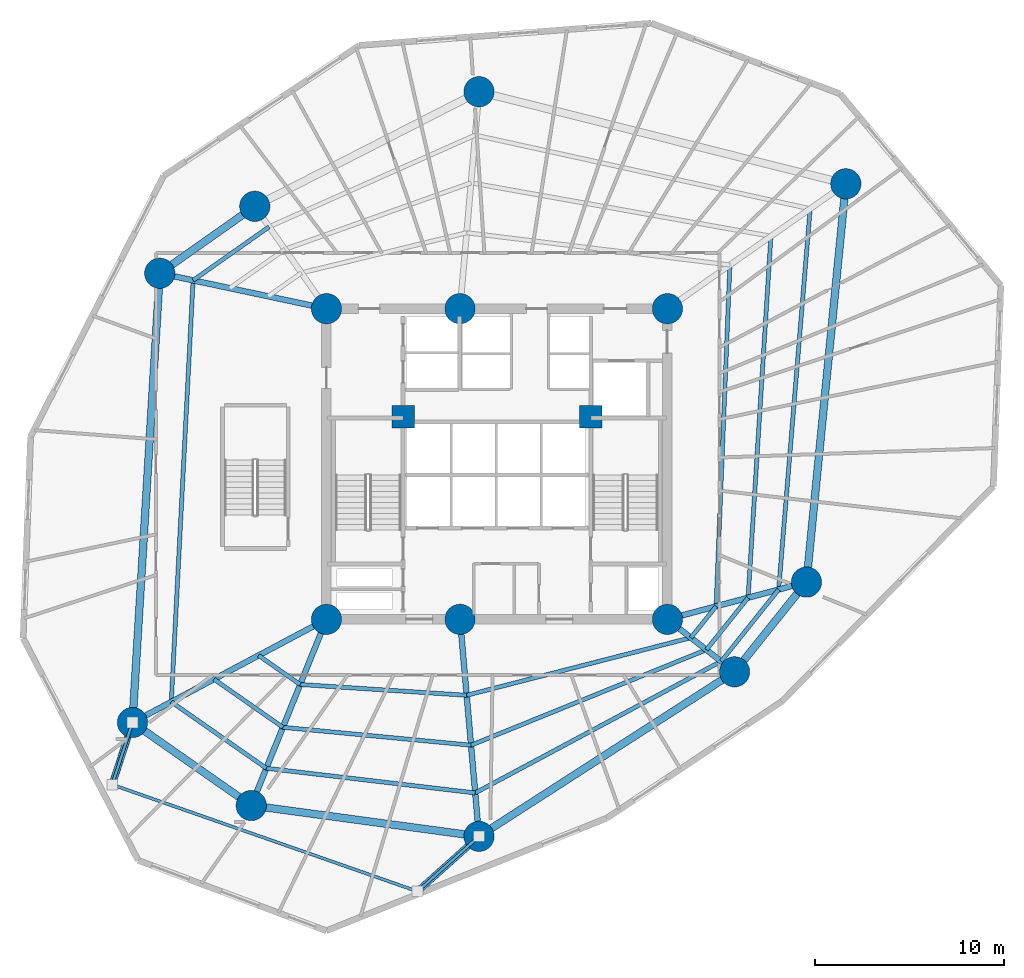
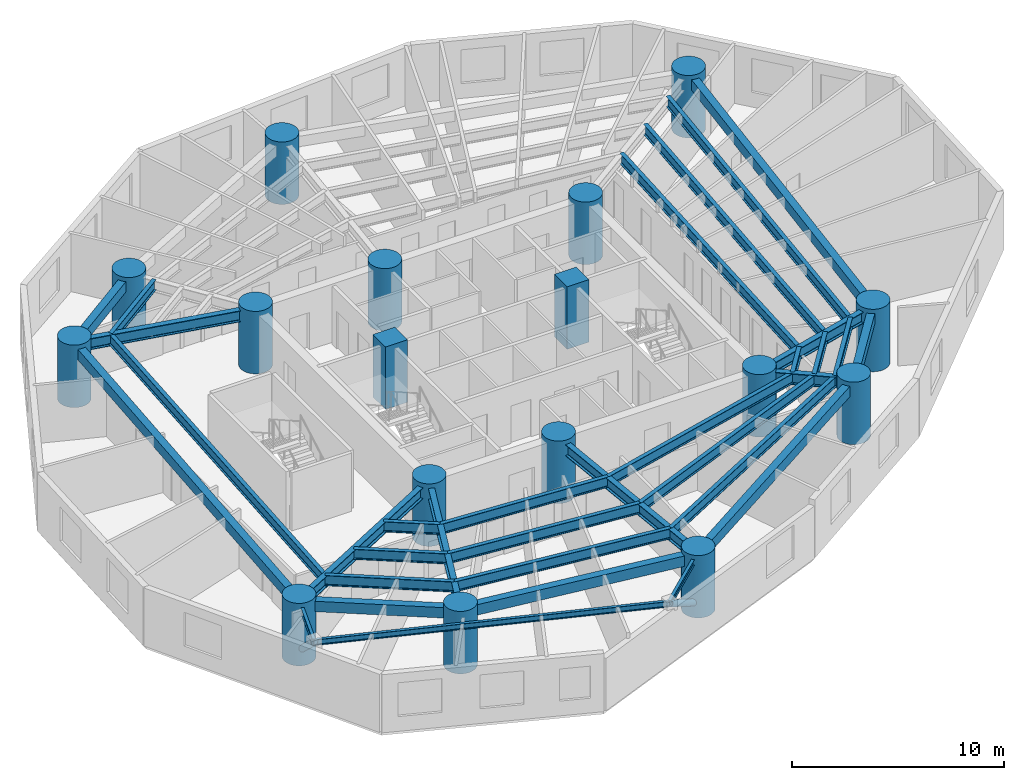
# One storey, part 1 of 8: 33 beams, 17 columns, 2 members.
"""IFC4 building model written with IfcOpenShell, lengths in metres."""

from ifc_helpers import new_model, si_unit, direction, frame, origin, origin_with_axes, origin_2d, place, context, subcontext, project, spatial, rectangle, circle, hollow_circle, i_section, extrude, source, transform, mapped, material, material_profile, profile_set, type_object, element, save


model = new_model("IFC4")

# Units and contexts
model_context = context("Model", 3, precision=1e-05, world=origin(), true_north=direction((0.0, 1.0)))
body_context = subcontext(model_context, "Body", "Model", "MODEL_VIEW")
ifc_project = project(units=[si_unit("LENGTHUNIT", "METRE"), si_unit("AREAUNIT", "SQUARE_METRE"), si_unit("VOLUMEUNIT", "CUBIC_METRE"), si_unit("PLANEANGLEUNIT", "RADIAN"), si_unit("MASSUNIT", "GRAM", prefix="KILO")], contexts=[model_context])

# Site, building, storey
site_placement = place(None, origin())
site = spatial("IfcSite", under=ifc_project, at=site_placement, CompositionType="ELEMENT")
building_placement = place(site_placement, origin())
building = spatial("IfcBuilding", under=site, at=building_placement, Name="Karkom Vertical University and Central Library", CompositionType="ELEMENT")
storey_placement = place(building_placement, frame((0.0, 0.0, 40.89990234375)))
storey = spatial("IfcBuildingStorey", under=building, at=storey_placement, Name="L10", CompositionType="ELEMENT", Elevation=40.89990234375)

# Columns
ifc_material_1 = material(Name="Concrete C50/60", Category="concrete")
ifc_material_profile_1 = material_profile(ifc_material_1, circle(Radius=0.800048828125, at=origin_2d()), Name="CFT-D1600")
ifc_profile_set_1 = profile_set([ifc_material_profile_1], Name="Concrete C50/60")
column_type_1 = type_object("IfcColumnType", Name="STR-COL-C-SC2", PredefinedType="COLUMN", material=ifc_profile_set_1)
shared_shape_1 = source(origin_with_axes(), body_context, "Body", "SweptSolid", [
    extrude(circle(Radius=0.800048828125, at=origin_2d()), origin(), (0.0, 0.0, 1.0), 3.60009765625),
])
for number, where, z_axis, x_axis, name in (
    (1, (19.5, 18.300048828125, 0.0), (0.0, 0.0, 1.0), (1.0, 0.0, 0.0), "Level 10 Spine Mega-Column SC-1"),
    (2, (26.550048828125, 18.300048828125, 0.0), (0.0, 0.0, 1.0), (1.0, 0.0, 0.0), "Level 10 Spine Mega-Column SC-2"),
    (3, (37.5, 18.300048828125, 0.0), (0.0, 0.0, 1.0), (1.0, 0.0, 0.0), "Level 10 Spine Mega-Column SC-3"),
    (4, (19.5, 34.699951171875, 0.0), (0.0, 0.0, 1.0), (1.0, 0.0, 0.0), "Level 10 Spine Mega-Column SC-4"),
    (5, (26.550048828125, 34.699951171875, 0.0), (0.0, 0.0, 1.0), (1.0, 0.0, 0.0), "Level 10 Spine Mega-Column SC-5"),
    (6, (37.5, 34.699951171875, 0.0), (0.0, 0.0, 1.0), (1.0, 0.0, 0.0), "Level 10 Spine Mega-Column SC-6"),
    (7, (44.841064453125, 20.26708984375, 0.0), (0.0, 0.0, 1.0), (1.0, 0.0, 0.0), "Level 10 Perimeter Mega-Column Z1-PC1"),
    (8, (46.919921875, 41.2958984375, 0.0), (0.0, 0.0, 1.0), (1.0, 0.0, 0.0), "Level 10 Perimeter Mega-Column Z1-PC2"),
    (9, (27.552001953125, 46.156005859375, 0.0), (0.0, 0.0, 1.0), (1.0, 0.0, 0.0), "Level 10 Perimeter Mega-Column Z1-PC3"),
    (10, (15.714111328125, 40.10595703125, 0.0), (0.0, 0.0, 1.0), (1.0, 0.0, 0.0), "Level 10 Perimeter Mega-Column Z1-PC4"),
    (11, (10.697021484375, 36.571044921875, 0.0), (0.0, 0.0, 1.0), (1.0, 0.0, 0.0), "Level 10 Perimeter Mega-Column Z1-PC5"),
    (12, (9.258056640625, 12.85400390625, 0.0), (0.0, 0.0, 1.0), (1.0, 0.0, 0.0), "Level 10 Perimeter Mega-Column Z1-PC6"),
    (13, (15.529052734375, 8.471923828125, 0.0), (0.0, 0.0, 1.0), (1.0, 0.0, 0.0), "Level 10 Perimeter Mega-Column Z1-PC7"),
    (14, (27.552001953125, 6.843994140625, 0.0), (0.0, 0.0, 1.0), (1.0, 0.0, 0.0), "Level 10 Perimeter Mega-Column Z1-PC8"),
    (15, (41.0458984375, 15.530029296875, 0.0), (0.0, 0.0, 1.0), (1.0, 0.0, 0.0), "Level 10 Perimeter Mega-Column Z1-PC9"),
):
    element("IfcColumn", number, at=place(storey_placement, frame(where, z_axis=z_axis, x_axis=x_axis)), inside=storey, type_object=column_type_1, Name=name, PredefinedType="COLUMN", context=body_context, shape_type="MappedRepresentation", body=[
        mapped(shared_shape_1, transform((0.0, 0.0, 0.0), scale=1.0)),
    ])
ifc_material_profile_2 = material_profile(ifc_material_1, rectangle(XDim=1.199951171875, YDim=1.199951171875, at=origin_2d()), Name="RC-1200x1200")
ifc_profile_set_2 = profile_set([ifc_material_profile_2], Name="Concrete C50/60")
column_type_2 = type_object("IfcColumnType", Name="STR-COL-C-CC1", PredefinedType="COLUMN", material=ifc_profile_set_2)
shared_shape_2 = source(origin_with_axes(), body_context, "Body", "SweptSolid", [
    extrude(rectangle(XDim=1.199951171875, YDim=1.199951171875, at=origin_2d()), origin(), (0.0, 0.0, 1.0), 3.60009765625),
])
for number, where, z_axis, x_axis, name in (
    (16, (23.550048828125, 29.0, 0.0), (0.0, 0.0, 1.0), (1.0, 0.0, 0.0), "Level 10 Core Node Column CC-1"),
    (17, (33.449951171875, 29.0, 0.0), (0.0, 0.0, 1.0), (1.0, 0.0, 0.0), "Level 10 Core Node Column CC-2"),
):
    element("IfcColumn", number, at=place(storey_placement, frame(where, z_axis=z_axis, x_axis=x_axis)), inside=storey, type_object=column_type_2, Name=name, PredefinedType="COLUMN", context=body_context, shape_type="MappedRepresentation", body=[
        mapped(shared_shape_2, transform((0.0, 0.0, 0.0), scale=1.0)),
    ])

# Beams
ifc_material_2 = material(Name="Steel S355", Category="steel")
ifc_material_profile_3 = material_profile(ifc_material_2, i_section(OverallWidth=0.300048828125, OverallDepth=0.64990234375, WebThickness=0.01611328125, FlangeThickness=0.031005859375, FilletRadius=0.027099609375, at=origin_2d()), Name="HE 650 B")
ifc_profile_set_3 = profile_set([ifc_material_profile_3], Name="Steel S355")
beam_type_1 = type_object("IfcBeamType", Name="STR-BM-SB-HE650", PredefinedType="USERDEFINED", material=ifc_profile_set_3)
shared_shape_3 = source(origin_with_axes(), body_context, "Body", "SweptSolid", [
    extrude(i_section(OverallWidth=0.300048828125, OverallDepth=0.64990234375, WebThickness=0.01611328125, FlangeThickness=0.031005859375, FilletRadius=0.027099609375, at=origin_2d()), origin(), (0.0, 0.0, 1.0), 7.60009765625),
])
beam_1_placement = place(storey_placement, frame((37.5, 18.300048828125, 3.025146484375), z_axis=(0.965925539322, 0.258820116077, 0.0), x_axis=(-0.258820116077, 0.965925539322, 0.0)))
element("IfcBeam", 18, at=beam_1_placement, inside=storey, type_object=beam_type_1, Name="Level 10 Radial Frame Girder 01", ObjectType="GIRDER", PredefinedType="USERDEFINED", context=body_context, shape_type="MappedRepresentation", body=[
    mapped(shared_shape_3, transform((0.0, 0.0, 0.0), scale=1.0)),
])
shared_shape_4 = source(origin_with_axes(), body_context, "Body", "SweptSolid", [
    extrude(i_section(OverallWidth=0.300048828125, OverallDepth=0.64990234375, WebThickness=0.01611328125, FlangeThickness=0.031005859375, FilletRadius=0.027099609375, at=origin_2d()), origin(), (0.0, 0.0, 1.0), 11.499755859375),
])
beam_2_placement = place(storey_placement, frame((26.550048828125, 18.300048828125, 3.025146484375), z_axis=(0.087127973109, -0.99619712723, 0.0), x_axis=(0.99619712723, 0.087127973109, 0.0)))
element("IfcBeam", 19, at=beam_2_placement, inside=storey, type_object=beam_type_1, Name="Level 10 Radial Frame Girder 08", ObjectType="GIRDER", PredefinedType="USERDEFINED", context=body_context, shape_type="MappedRepresentation", body=[
    mapped(shared_shape_4, transform((0.0, 0.0, 0.0), scale=1.0)),
])
shared_shape_5 = source(origin_with_axes(), body_context, "Body", "SweptSolid", [
    extrude(i_section(OverallWidth=0.300048828125, OverallDepth=0.64990234375, WebThickness=0.01611328125, FlangeThickness=0.031005859375, FilletRadius=0.027099609375, at=origin_2d()), origin(), (0.0, 0.0, 1.0), 8.999755859375),
])
beam_3_placement = place(storey_placement, frame((19.5, 34.699951171875, 3.025146484375), z_axis=(-0.978148438993, 0.207907747079, 0.0), x_axis=(-0.207907747079, -0.978148438993, 0.0)))
element("IfcBeam", 20, at=beam_3_placement, inside=storey, type_object=beam_type_1, Name="Level 10 Radial Frame Girder 05", ObjectType="GIRDER", PredefinedType="USERDEFINED", context=body_context, shape_type="MappedRepresentation", body=[
    mapped(shared_shape_5, transform((0.0, 0.0, 0.0), scale=1.0)),
])
shared_shape_6 = source(origin_with_axes(), body_context, "Body", "SweptSolid", [
    extrude(i_section(OverallWidth=0.300048828125, OverallDepth=0.64990234375, WebThickness=0.01611328125, FlangeThickness=0.031005859375, FilletRadius=0.027099609375, at=origin_2d()), origin(), (0.0, 0.0, 1.0), 11.599853515625),
])
beam_4_placement = place(storey_placement, frame((19.5, 18.300048828125, 3.025146484375), z_axis=(-0.882936620635, -0.469492197957, 0.0), x_axis=(0.469492197957, -0.882936620635, 0.0)))
element("IfcBeam", 21, at=beam_4_placement, inside=storey, type_object=beam_type_1, Name="Level 10 Radial Frame Girder 06", ObjectType="GIRDER", PredefinedType="USERDEFINED", context=body_context, shape_type="MappedRepresentation", body=[
    mapped(shared_shape_6, transform((0.0, 0.0, 0.0), scale=1.0)),
])
shared_shape_7 = source(origin_with_axes(), body_context, "Body", "SweptSolid", [
    extrude(i_section(OverallWidth=0.300048828125, OverallDepth=0.64990234375, WebThickness=0.01611328125, FlangeThickness=0.031005859375, FilletRadius=0.027099609375, at=origin_2d()), origin(), (0.0, 0.0, 1.0), 10.60009765625),
])
beam_5_placement = place(storey_placement, frame((19.5, 18.300048828125, 3.025146484375), z_axis=(-0.374616894394, -0.927179692635, 0.0), x_axis=(0.927179692635, -0.374616894394, 0.0)))
element("IfcBeam", 22, at=beam_5_placement, inside=storey, type_object=beam_type_1, Name="Level 10 Radial Frame Girder 07", ObjectType="GIRDER", PredefinedType="USERDEFINED", context=body_context, shape_type="MappedRepresentation", body=[
    mapped(shared_shape_7, transform((0.0, 0.0, 0.0), scale=1.0)),
])
shared_shape_8 = source(origin_with_axes(), body_context, "Body", "SweptSolid", [
    extrude(i_section(OverallWidth=0.300048828125, OverallDepth=0.64990234375, WebThickness=0.01611328125, FlangeThickness=0.031005859375, FilletRadius=0.027099609375, at=origin_2d()), origin(), (0.0, 0.0, 1.0), 4.49951171875),
])
beam_6_placement = place(storey_placement, frame((37.5, 18.300048828125, 3.025146484375), z_axis=(0.788047405801, -0.615614559778, 0.0), x_axis=(0.615614559778, 0.788047405801, 0.0)))
element("IfcBeam", 23, at=beam_6_placement, inside=storey, type_object=beam_type_1, Name="Level 10 Radial Frame Girder 09", ObjectType="GIRDER", PredefinedType="USERDEFINED", context=body_context, shape_type="MappedRepresentation", body=[
    mapped(shared_shape_8, transform((0.0, 0.0, 0.0), scale=1.0)),
])
ifc_material_3 = material(Name="Precast concrete C45/55", Category="concrete")
ifc_material_profile_4 = material_profile(ifc_material_3, rectangle(XDim=0.39990234375, YDim=0.60009765625, at=origin_2d()), Name="SPB-400x600")
ifc_profile_set_4 = profile_set([ifc_material_profile_4], Name="Precast concrete C45/55")
beam_type_2 = type_object("IfcBeamType", Name="STR-BM-SP-1", PredefinedType="SPANDREL", material=ifc_profile_set_4)
shared_shape_9 = source(origin_with_axes(), body_context, "Body", "SweptSolid", [
    extrude(rectangle(XDim=0.39990234375, YDim=0.60009765625, at=origin_2d()), origin(), (0.0, 0.0, 1.0), 21.13134765625),
])
beam_7_placement = place(storey_placement, frame((44.841064453125, 20.26708984375, 3.050048828125), z_axis=(0.0983780471, 0.995149114379, 0.0), x_axis=(-0.995149114379, 0.0983780471, 0.0)))
element("IfcBeam", 24, at=beam_7_placement, inside=storey, type_object=beam_type_2, Name="Level 10 Perimeter Spandrel Beam 01", PredefinedType="SPANDREL", context=body_context, shape_type="MappedRepresentation", body=[
    mapped(shared_shape_9, transform((0.0, 0.0, 0.0), scale=1.0)),
])
shared_shape_10 = source(origin_with_axes(), body_context, "Body", "SweptSolid", [
    extrude(rectangle(XDim=0.39990234375, YDim=0.60009765625, at=origin_2d()), origin(), (0.0, 0.0, 1.0), 6.13720703125),
])
beam_8_placement = place(storey_placement, frame((15.714111328125, 40.10595703125, 3.050048828125), z_axis=(-0.817471365538, -0.575969240955, 0.0), x_axis=(0.575969240955, -0.817471365538, 0.0)))
element("IfcBeam", 25, at=beam_8_placement, inside=storey, type_object=beam_type_2, Name="Level 10 Perimeter Spandrel Beam 04", PredefinedType="SPANDREL", context=body_context, shape_type="MappedRepresentation", body=[
    mapped(shared_shape_10, transform((0.0, 0.0, 0.0), scale=1.0)),
])
shared_shape_11 = source(origin_with_axes(), body_context, "Body", "SweptSolid", [
    extrude(rectangle(XDim=0.39990234375, YDim=0.60009765625, at=origin_2d()), origin(), (0.0, 0.0, 1.0), 23.7607421875),
])
beam_9_placement = place(storey_placement, frame((10.697021484375, 36.571044921875, 3.050048828125), z_axis=(-0.060560827767, -0.998164508556, 0.0), x_axis=(0.998164508556, -0.060560827767, 0.0)))
element("IfcBeam", 26, at=beam_9_placement, inside=storey, type_object=beam_type_2, Name="Level 10 Perimeter Spandrel Beam 05", PredefinedType="SPANDREL", context=body_context, shape_type="MappedRepresentation", body=[
    mapped(shared_shape_11, transform((0.0, 0.0, 0.0), scale=1.0)),
])
shared_shape_12 = source(origin_with_axes(), body_context, "Body", "SweptSolid", [
    extrude(rectangle(XDim=0.39990234375, YDim=0.60009765625, at=origin_2d()), origin(), (0.0, 0.0, 1.0), 7.650390625),
])
beam_10_placement = place(storey_placement, frame((9.258056640625, 12.85400390625, 3.050048828125), z_axis=(0.819699409527, -0.572793922822, 0.0), x_axis=(0.572793922822, 0.819699409527, 0.0)))
element("IfcBeam", 27, at=beam_10_placement, inside=storey, type_object=beam_type_2, Name="Level 10 Perimeter Spandrel Beam 06", PredefinedType="SPANDREL", context=body_context, shape_type="MappedRepresentation", body=[
    mapped(shared_shape_12, transform((0.0, 0.0, 0.0), scale=1.0)),
])
shared_shape_13 = source(origin_with_axes(), body_context, "Body", "SweptSolid", [
    extrude(rectangle(XDim=0.39990234375, YDim=0.60009765625, at=origin_2d()), origin(), (0.0, 0.0, 1.0), 12.132568359375),
])
beam_11_placement = place(storey_placement, frame((15.529052734375, 8.471923828125, 3.050048828125), z_axis=(0.990957319008, -0.134177464223, 0.0), x_axis=(0.134177464223, 0.990957319008, 0.0)))
element("IfcBeam", 28, at=beam_11_placement, inside=storey, type_object=beam_type_2, Name="Level 10 Perimeter Spandrel Beam 07", PredefinedType="SPANDREL", context=body_context, shape_type="MappedRepresentation", body=[
    mapped(shared_shape_13, transform((0.0, 0.0, 0.0), scale=1.0)),
])
shared_shape_14 = source(origin_with_axes(), body_context, "Body", "SweptSolid", [
    extrude(rectangle(XDim=0.39990234375, YDim=0.60009765625, at=origin_2d()), origin(), (0.0, 0.0, 1.0), 16.0478515625),
])
beam_12_placement = place(storey_placement, frame((27.552001953125, 6.843994140625, 3.050048828125), z_axis=(0.84085555045, 0.541259589548, 0.0), x_axis=(-0.541259589548, 0.84085555045, 0.0)))
element("IfcBeam", 29, at=beam_12_placement, inside=storey, type_object=beam_type_2, Name="Level 10 Perimeter Spandrel Beam 08", PredefinedType="SPANDREL", context=body_context, shape_type="MappedRepresentation", body=[
    mapped(shared_shape_14, transform((0.0, 0.0, 0.0), scale=1.0)),
])
shared_shape_15 = source(origin_with_axes(), body_context, "Body", "SweptSolid", [
    extrude(rectangle(XDim=0.39990234375, YDim=0.60009765625, at=origin_2d()), origin(), (0.0, 0.0, 1.0), 6.06982421875),
])
beam_13_placement = place(storey_placement, frame((41.0458984375, 15.530029296875, 3.050048828125), z_axis=(0.625249167344, 0.780425190992, 0.0), x_axis=(-0.780425190992, 0.625249167344, 0.0)))
element("IfcBeam", 30, at=beam_13_placement, inside=storey, type_object=beam_type_2, Name="Level 10 Perimeter Spandrel Beam 09", PredefinedType="SPANDREL", context=body_context, shape_type="MappedRepresentation", body=[
    mapped(shared_shape_15, transform((0.0, 0.0, 0.0), scale=1.0)),
])
ifc_material_profile_5 = material_profile(ifc_material_2, i_section(OverallWidth=0.219970703125, OverallDepth=0.60009765625, WebThickness=0.011962890625, FlangeThickness=0.01904296875, FilletRadius=0.02392578125, at=origin_2d()), Name="IPE 600")
ifc_profile_set_5 = profile_set([ifc_material_profile_5], Name="Steel S355")
beam_type_3 = type_object("IfcBeamType", Name="STR-BM-SB-IPE600", PredefinedType="BEAM", material=ifc_profile_set_5)
shared_shape_16 = source(origin_with_axes(), body_context, "Body", "SweptSolid", [
    extrude(i_section(OverallWidth=0.219970703125, OverallDepth=0.60009765625, WebThickness=0.011962890625, FlangeThickness=0.01904296875, FilletRadius=0.02392578125, at=origin_2d()), origin(), (0.0, 0.0, 1.0), 18.03466796875),
])
beam_14_placement = place(storey_placement, frame((40.0693359375, 18.988525390625, 3.050048828125), z_axis=(0.04035458262, 0.999185422062, 0.0), x_axis=(-0.999185422062, 0.04035458262, 0.0)))
element("IfcBeam", 31, at=beam_14_placement, inside=storey, type_object=beam_type_3, Name="Level 10 Secondary Composite Floor Beam 1.01", PredefinedType="BEAM", context=body_context, shape_type="MappedRepresentation", body=[
    mapped(shared_shape_16, transform((0.0, 0.0, 0.0), scale=1.0)),
])
shared_shape_17 = source(origin_with_axes(), body_context, "Body", "SweptSolid", [
    extrude(i_section(OverallWidth=0.219970703125, OverallDepth=0.60009765625, WebThickness=0.011962890625, FlangeThickness=0.01904296875, FilletRadius=0.02392578125, at=origin_2d()), origin(), (0.0, 0.0, 1.0), 2.677490234375),
])
beam_15_placement = place(storey_placement, frame((15.915283203125, 16.393798828125, 3.050048828125), z_axis=(0.819702839548, -0.572789014243, 0.0), x_axis=(0.572789014243, 0.819702839548, 0.0)))
element("IfcBeam", 32, at=beam_15_placement, inside=storey, type_object=beam_type_3, Name="Level 10 Secondary Composite Floor Beam 1.06", PredefinedType="BEAM", context=body_context, shape_type="MappedRepresentation", body=[
    mapped(shared_shape_17, transform((0.0, 0.0, 0.0), scale=1.0)),
])
shared_shape_18 = source(origin_with_axes(), body_context, "Body", "SweptSolid", [
    extrude(i_section(OverallWidth=0.219970703125, OverallDepth=0.60009765625, WebThickness=0.011962890625, FlangeThickness=0.01904296875, FilletRadius=0.02392578125, at=origin_2d()), origin(), (0.0, 0.0, 1.0), 8.80908203125),
])
beam_16_placement = place(storey_placement, frame((18.110107421875, 14.860107421875, 3.050048828125), z_axis=(0.997905617906, -0.064686766433, 0.0), x_axis=(0.064686766433, 0.997905617906, 0.0)))
element("IfcBeam", 33, at=beam_16_placement, inside=storey, type_object=beam_type_3, Name="Level 10 Secondary Composite Floor Beam 1.07", PredefinedType="BEAM", context=body_context, shape_type="MappedRepresentation", body=[
    mapped(shared_shape_18, transform((0.0, 0.0, 0.0), scale=1.0)),
])
shared_shape_19 = source(origin_with_axes(), body_context, "Body", "SweptSolid", [
    extrude(i_section(OverallWidth=0.219970703125, OverallDepth=0.60009765625, WebThickness=0.011962890625, FlangeThickness=0.01904296875, FilletRadius=0.02392578125, at=origin_2d()), origin(), (0.0, 0.0, 1.0), 12.224609375),
])
beam_17_placement = place(storey_placement, frame((26.900634765625, 14.290283203125, 3.050048828125), z_axis=(0.968580403264, 0.248700628092, 0.0), x_axis=(-0.248700628092, 0.968580403264, 0.0)))
element("IfcBeam", 34, at=beam_17_placement, inside=storey, type_object=beam_type_3, Name="Level 10 Secondary Composite Floor Beam 1.08", PredefinedType="BEAM", context=body_context, shape_type="MappedRepresentation", body=[
    mapped(shared_shape_19, transform((0.0, 0.0, 0.0), scale=1.0)),
])
shared_shape_20 = source(origin_with_axes(), body_context, "Body", "SweptSolid", [
    extrude(i_section(OverallWidth=0.219970703125, OverallDepth=0.60009765625, WebThickness=0.011962890625, FlangeThickness=0.01904296875, FilletRadius=0.02392578125, at=origin_2d()), origin(), (0.0, 0.0, 1.0), 2.124267578125),
])
beam_18_placement = place(storey_placement, frame((38.7412109375, 17.33056640625, 3.050048828125), z_axis=(0.625199471959, 0.780465002587, 0.0), x_axis=(-0.780465002587, 0.625199471959, 0.0)))
element("IfcBeam", 35, at=beam_18_placement, inside=storey, type_object=beam_type_3, Name="Level 10 Secondary Composite Floor Beam 1.09", PredefinedType="BEAM", context=body_context, shape_type="MappedRepresentation", body=[
    mapped(shared_shape_20, transform((0.0, 0.0, 0.0), scale=1.0)),
])
shared_shape_21 = source(origin_with_axes(), body_context, "Body", "SweptSolid", [
    extrude(i_section(OverallWidth=0.219970703125, OverallDepth=0.60009765625, WebThickness=0.011962890625, FlangeThickness=0.01904296875, FilletRadius=0.02392578125, at=origin_2d()), origin(), (0.0, 0.0, 1.0), 19.122802734375),
])
beam_19_placement = place(storey_placement, frame((41.7578125, 19.44091796875, 3.050048828125), z_axis=(0.063056264597, 0.998009973645, 0.0), x_axis=(-0.998009973645, 0.063056264597, 0.0)))
element("IfcBeam", 36, at=beam_19_placement, inside=storey, type_object=beam_type_3, Name="Level 10 Secondary Composite Floor Beam 2.01", PredefinedType="BEAM", context=body_context, shape_type="MappedRepresentation", body=[
    mapped(shared_shape_21, transform((0.0, 0.0, 0.0), scale=1.0)),
])
shared_shape_22 = source(origin_with_axes(), body_context, "Body", "SweptSolid", [
    extrude(i_section(OverallWidth=0.219970703125, OverallDepth=0.60009765625, WebThickness=0.011962890625, FlangeThickness=0.01904296875, FilletRadius=0.02392578125, at=origin_2d()), origin(), (0.0, 0.0, 1.0), 4.437255859375),
])
beam_20_placement = place(storey_placement, frame((13.5595703125, 15.141357421875, 3.050048828125), z_axis=(0.819712425733, -0.572775295468, 0.0), x_axis=(0.572775295468, 0.819712425733, 0.0)))
element("IfcBeam", 37, at=beam_20_placement, inside=storey, type_object=beam_type_3, Name="Level 10 Secondary Composite Floor Beam 2.06", PredefinedType="BEAM", context=body_context, shape_type="MappedRepresentation", body=[
    mapped(shared_shape_22, transform((0.0, 0.0, 0.0), scale=1.0)),
])
shared_shape_23 = source(origin_with_axes(), body_context, "Body", "SweptSolid", [
    extrude(i_section(OverallWidth=0.219970703125, OverallDepth=0.60009765625, WebThickness=0.011962890625, FlangeThickness=0.01904296875, FilletRadius=0.02392578125, at=origin_2d()), origin(), (0.0, 0.0, 1.0), 9.97900390625),
])
beam_21_placement = place(storey_placement, frame((17.19677734375, 12.599853515625, 3.050048828125), z_axis=(0.995512389915, -0.094631292526, 0.0), x_axis=(0.094631292526, 0.995512389915, 0.0)))
element("IfcBeam", 38, at=beam_21_placement, inside=storey, type_object=beam_type_3, Name="Level 10 Secondary Composite Floor Beam 2.07", PredefinedType="BEAM", context=body_context, shape_type="MappedRepresentation", body=[
    mapped(shared_shape_23, transform((0.0, 0.0, 0.0), scale=1.0)),
])
shared_shape_24 = source(origin_with_axes(), body_context, "Body", "SweptSolid", [
    extrude(i_section(OverallWidth=0.219970703125, OverallDepth=0.60009765625, WebThickness=0.011962890625, FlangeThickness=0.01904296875, FilletRadius=0.02392578125, at=origin_2d()), origin(), (0.0, 0.0, 1.0), 13.407958984375),
])
beam_22_placement = place(storey_placement, frame((27.131103515625, 11.655517578125, 3.050048828125), z_axis=(0.926727273371, 0.375734694685, 0.0), x_axis=(-0.375734694685, 0.926727273371, 0.0)))
element("IfcBeam", 39, at=beam_22_placement, inside=storey, type_object=beam_type_3, Name="Level 10 Secondary Composite Floor Beam 2.08", PredefinedType="BEAM", context=body_context, shape_type="MappedRepresentation", body=[
    mapped(shared_shape_24, transform((0.0, 0.0, 0.0), scale=1.0)),
])
shared_shape_25 = source(origin_with_axes(), body_context, "Body", "SweptSolid", [
    extrude(i_section(OverallWidth=0.219970703125, OverallDepth=0.60009765625, WebThickness=0.011962890625, FlangeThickness=0.01904296875, FilletRadius=0.02392578125, at=origin_2d()), origin(), (0.0, 0.0, 1.0), 3.5205078125),
])
beam_23_placement = place(storey_placement, frame((39.556640625, 16.693359375, 3.050048828125), z_axis=(0.62523614548, 0.780435623473, 0.0), x_axis=(-0.780435623473, 0.62523614548, 0.0)))
element("IfcBeam", 40, at=beam_23_placement, inside=storey, type_object=beam_type_3, Name="Level 10 Secondary Composite Floor Beam 2.09", PredefinedType="BEAM", context=body_context, shape_type="MappedRepresentation", body=[
    mapped(shared_shape_25, transform((0.0, 0.0, 0.0), scale=1.0)),
])
shared_shape_26 = source(origin_with_axes(), body_context, "Body", "SweptSolid", [
    extrude(i_section(OverallWidth=0.219970703125, OverallDepth=0.60009765625, WebThickness=0.011962890625, FlangeThickness=0.01904296875, FilletRadius=0.02392578125, at=origin_2d()), origin(), (0.0, 0.0, 1.0), 20.171875),
])
beam_24_placement = place(storey_placement, frame((43.372802734375, 19.87353515625, 3.050048828125), z_axis=(0.082445490935, 0.996595575459, 0.0), x_axis=(-0.996595575459, 0.082445490935, 0.0)))
element("IfcBeam", 41, at=beam_24_placement, inside=storey, type_object=beam_type_3, Name="Level 10 Secondary Composite Floor Beam 3.01", PredefinedType="BEAM", context=body_context, shape_type="MappedRepresentation", body=[
    mapped(shared_shape_26, transform((0.0, 0.0, 0.0), scale=1.0)),
])
shared_shape_27 = source(origin_with_axes(), body_context, "Body", "SweptSolid", [
    extrude(i_section(OverallWidth=0.219970703125, OverallDepth=0.60009765625, WebThickness=0.011962890625, FlangeThickness=0.01904296875, FilletRadius=0.02392578125, at=origin_2d()), origin(), (0.0, 0.0, 1.0), 4.909912109375),
])
beam_25_placement = place(storey_placement, frame((16.47119140625, 39.02490234375, 3.050048828125), z_axis=(-0.817452635759, -0.575995823153, 0.0), x_axis=(0.575995823153, -0.817452635759, 0.0)))
element("IfcBeam", 42, at=beam_25_placement, inside=storey, type_object=beam_type_3, Name="Level 10 Secondary Composite Floor Beam 3.04", PredefinedType="BEAM", context=body_context, shape_type="MappedRepresentation", body=[
    mapped(shared_shape_27, transform((0.0, 0.0, 0.0), scale=1.0)),
])
shared_shape_28 = source(origin_with_axes(), body_context, "Body", "SweptSolid", [
    extrude(i_section(OverallWidth=0.219970703125, OverallDepth=0.60009765625, WebThickness=0.011962890625, FlangeThickness=0.01904296875, FilletRadius=0.02392578125, at=origin_2d()), origin(), (0.0, 0.0, 1.0), 22.283447265625),
])
beam_26_placement = place(storey_placement, frame((12.45751953125, 36.19677734375, 3.050048828125), z_axis=(-0.051658288147, -0.998664819279, 0.0), x_axis=(0.998664819279, -0.051658288147, 0.0)))
element("IfcBeam", 43, at=beam_26_placement, inside=storey, type_object=beam_type_3, Name="Level 10 Secondary Composite Floor Beam 3.05", PredefinedType="BEAM", context=body_context, shape_type="MappedRepresentation", body=[
    mapped(shared_shape_28, transform((0.0, 0.0, 0.0), scale=1.0)),
])
shared_shape_29 = source(origin_with_axes(), body_context, "Body", "SweptSolid", [
    extrude(i_section(OverallWidth=0.219970703125, OverallDepth=0.60009765625, WebThickness=0.011962890625, FlangeThickness=0.01904296875, FilletRadius=0.02392578125, at=origin_2d()), origin(), (0.0, 0.0, 1.0), 6.120361328125),
])
beam_27_placement = place(storey_placement, frame((11.306396484375, 13.943115234375, 3.050048828125), z_axis=(0.81970577287, -0.572784816422, 0.0), x_axis=(0.572784816422, 0.81970577287, 0.0)))
element("IfcBeam", 44, at=beam_27_placement, inside=storey, type_object=beam_type_3, Name="Level 10 Secondary Composite Floor Beam 3.06", PredefinedType="BEAM", context=body_context, shape_type="MappedRepresentation", body=[
    mapped(shared_shape_29, transform((0.0, 0.0, 0.0), scale=1.0)),
])
shared_shape_30 = source(origin_with_axes(), body_context, "Body", "SweptSolid", [
    extrude(i_section(OverallWidth=0.219970703125, OverallDepth=0.60009765625, WebThickness=0.011962890625, FlangeThickness=0.01904296875, FilletRadius=0.02392578125, at=origin_2d()), origin(), (0.0, 0.0, 1.0), 11.10498046875),
])
beam_28_placement = place(storey_placement, frame((16.3232421875, 10.4375, 3.050048828125), z_axis=(0.993100390447, -0.117267278018, 0.0), x_axis=(0.117267278018, 0.993100390447, 0.0)))
element("IfcBeam", 45, at=beam_28_placement, inside=storey, type_object=beam_type_3, Name="Level 10 Secondary Composite Floor Beam 3.07", PredefinedType="BEAM", context=body_context, shape_type="MappedRepresentation", body=[
    mapped(shared_shape_30, transform((0.0, 0.0, 0.0), scale=1.0)),
])
shared_shape_31 = source(origin_with_axes(), body_context, "Body", "SweptSolid", [
    extrude(i_section(OverallWidth=0.219970703125, OverallDepth=0.60009765625, WebThickness=0.011962890625, FlangeThickness=0.01904296875, FilletRadius=0.02392578125, at=origin_2d()), origin(), (0.0, 0.0, 1.0), 14.727783203125),
])
beam_29_placement = place(storey_placement, frame((27.3515625, 9.13525390625, 3.050048828125), z_axis=(0.881697726656, 0.471814708131, 0.0), x_axis=(-0.471814708131, 0.881697726656, 0.0)))
element("IfcBeam", 46, at=beam_29_placement, inside=storey, type_object=beam_type_3, Name="Level 10 Secondary Composite Floor Beam 3.08", PredefinedType="BEAM", context=body_context, shape_type="MappedRepresentation", body=[
    mapped(shared_shape_31, transform((0.0, 0.0, 0.0), scale=1.0)),
])
shared_shape_32 = source(origin_with_axes(), body_context, "Body", "SweptSolid", [
    extrude(i_section(OverallWidth=0.219970703125, OverallDepth=0.60009765625, WebThickness=0.011962890625, FlangeThickness=0.01904296875, FilletRadius=0.02392578125, at=origin_2d()), origin(), (0.0, 0.0, 1.0), 4.855712890625),
])
beam_30_placement = place(storey_placement, frame((40.3369140625, 16.083984375, 3.050048828125), z_axis=(0.62522835738, 0.780441862747, 0.0), x_axis=(-0.780441862747, 0.62522835738, 0.0)))
element("IfcBeam", 47, at=beam_30_placement, inside=storey, type_object=beam_type_3, Name="Level 10 Secondary Composite Floor Beam 3.09", PredefinedType="BEAM", context=body_context, shape_type="MappedRepresentation", body=[
    mapped(shared_shape_32, transform((0.0, 0.0, 0.0), scale=1.0)),
])
ifc_material_profile_6 = material_profile(ifc_material_2, i_section(OverallWidth=0.159912109375, OverallDepth=0.330078125, WebThickness=0.007568359375, FlangeThickness=0.011474609375, FilletRadius=0.01806640625, at=origin_2d()), Name="IPE 330")
ifc_profile_set_6 = profile_set([ifc_material_profile_6], Name="Steel S355")
beam_type_4 = type_object("IfcBeamType", Name="STR-BM-SB-IPE330", PredefinedType="BEAM", material=ifc_profile_set_6)
shared_shape_33 = source(origin_with_axes(), body_context, "Body", "SweptSolid", [
    extrude(i_section(OverallWidth=0.159912109375, OverallDepth=0.330078125, WebThickness=0.007568359375, FlangeThickness=0.011474609375, FilletRadius=0.01806640625, at=origin_2d()), origin(), (0.0, 0.0, 1.0), 3.45166015625),
])
beam_31_placement = place(storey_placement, frame((9.258056640625, 12.85400390625, 3.18505859375), z_axis=(-0.310641776591, -0.950527057288, 0.0), x_axis=(0.950527057288, -0.310641776591, 0.0)))
element("IfcBeam", 48, at=beam_31_placement, inside=storey, type_object=beam_type_4, Name="Level 10 Sky Garden Outrigger Support Beam 1", PredefinedType="BEAM", context=body_context, shape_type="MappedRepresentation", body=[
    mapped(shared_shape_33, transform((0.0, 0.0, 0.0), scale=1.0)),
])

# Member
ifc_material_profile_7 = material_profile(ifc_material_2, hollow_circle(Radius=0.177734375, WallThickness=0.01611328125, at=origin_2d()), Name="CHS 355.6x16")
ifc_profile_set_7 = profile_set([ifc_material_profile_7], Name="Steel S355")
member_type = type_object("IfcMemberType", Name="STR-MEM-BR-3", PredefinedType="BRACE", material=ifc_profile_set_7)
shared_shape_34 = source(origin_with_axes(), body_context, "Body", "SweptSolid", [
    extrude(hollow_circle(Radius=0.177734375, WallThickness=0.01611328125, at=origin_2d()), origin(), (0.0, 0.0, 1.0), 4.466796875),
])
member_1_placement = place(storey_placement, frame((9.258056640625, 12.85400390625, 0.35009765625), z_axis=(-0.240055585371, -0.734541669355, 0.634682481178), x_axis=(0.950527057288, -0.310641776591, 0.0)))
element("IfcMember", 49, at=member_1_placement, inside=storey, type_object=member_type, Name="Level 10 Sky Garden Knee Strut Brace 1", PredefinedType="BRACE", context=body_context, shape_type="MappedRepresentation", body=[
    mapped(shared_shape_34, transform((0.0, 0.0, 0.0), scale=1.0)),
])

# Beam
shared_shape_35 = source(origin_with_axes(), body_context, "Body", "SweptSolid", [
    extrude(i_section(OverallWidth=0.159912109375, OverallDepth=0.330078125, WebThickness=0.007568359375, FlangeThickness=0.011474609375, FilletRadius=0.01806640625, at=origin_2d()), origin(), (0.0, 0.0, 1.0), 4.358642578125),
])
beam_32_placement = place(storey_placement, frame((27.552001953125, 6.843994140625, 3.18505859375), z_axis=(-0.745307232721, -0.666721177745, 0.0), x_axis=(0.666721177745, -0.745307232721, 0.0)))
element("IfcBeam", 50, at=beam_32_placement, inside=storey, type_object=beam_type_4, Name="Level 10 Sky Garden Outrigger Support Beam 2", PredefinedType="BEAM", context=body_context, shape_type="MappedRepresentation", body=[
    mapped(shared_shape_35, transform((0.0, 0.0, 0.0), scale=1.0)),
])

# Member
shared_shape_36 = source(origin_with_axes(), body_context, "Body", "SweptSolid", [
    extrude(hollow_circle(Radius=0.177734375, WallThickness=0.01611328125, at=origin_2d()), origin(), (0.0, 0.0, 1.0), 5.199462890625),
])
member_2_placement = place(storey_placement, frame((27.552001953125, 6.843994140625, 0.35009765625), z_axis=(-0.624777750343, -0.558900463124, 0.545236677963), x_axis=(0.666721177745, -0.745307232721, 0.0)))
element("IfcMember", 51, at=member_2_placement, inside=storey, type_object=member_type, Name="Level 10 Sky Garden Knee Strut Brace 2", PredefinedType="BRACE", context=body_context, shape_type="MappedRepresentation", body=[
    mapped(shared_shape_36, transform((0.0, 0.0, 0.0), scale=1.0)),
])

# Beam
shared_shape_37 = source(origin_with_axes(), body_context, "Body", "SweptSolid", [
    extrude(i_section(OverallWidth=0.159912109375, OverallDepth=0.330078125, WebThickness=0.007568359375, FlangeThickness=0.011474609375, FilletRadius=0.01806640625, at=origin_2d()), origin(), (0.0, 0.0, 1.0), 17.07421875),
])
beam_33_placement = place(storey_placement, frame((8.185791015625, 9.572998046875, 3.18505859375), z_axis=(0.943971098606, -0.330028127585, 0.0), x_axis=(0.330028127585, 0.943971098606, 0.0)))
element("IfcBeam", 52, at=beam_33_placement, inside=storey, type_object=beam_type_4, Name="Level 10 Sky Garden Perimeter Edge Beam", PredefinedType="BEAM", context=body_context, shape_type="MappedRepresentation", body=[
    mapped(shared_shape_37, transform((0.0, 0.0, 0.0), scale=1.0)),
])

save(model, "model.ifc")
